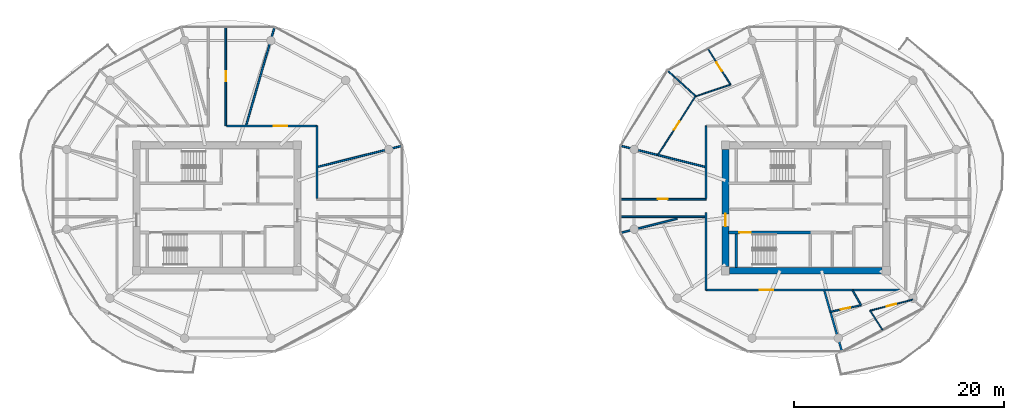
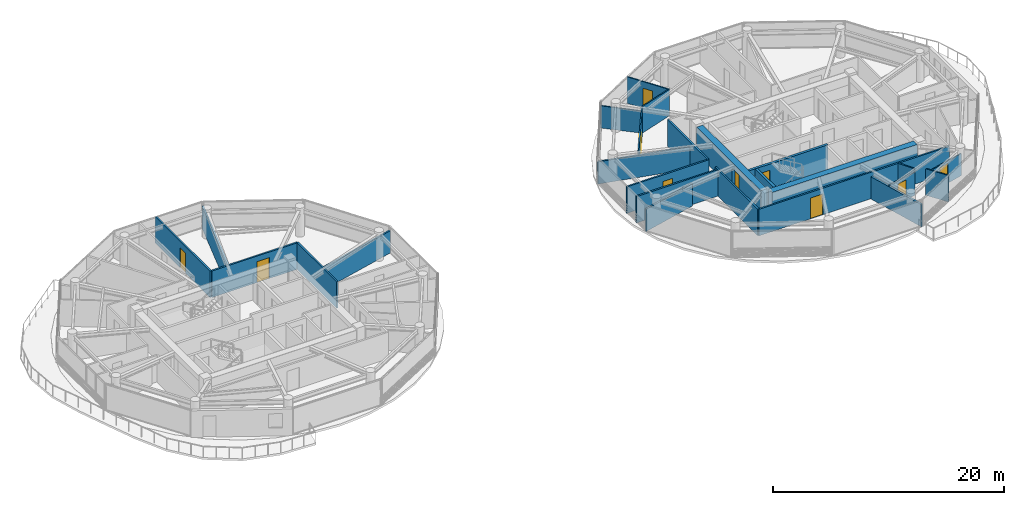
# One storey, part 15 of 23: 25 walls, 10 doors, 10 openings.
"""IFC4 building model written with IfcOpenShell, lengths in metres."""

from ifc_helpers import new_model, si_unit, direction, frame, frame_2d, origin, place, context, subcontext, project, spatial, rectangle, extrude, source, transform, mapped, material, layer, layer_set, type_object, type_shapes, element, fill, save


model = new_model("IFC4")

# Units and contexts
model_context = context("Model", 3, precision=1e-05, world=origin(), true_north=direction((0.0, 1.0)))
body_context = subcontext(model_context, "Body", "Model", "MODEL_VIEW")
ifc_project = project(units=[si_unit("LENGTHUNIT", "METRE"), si_unit("AREAUNIT", "SQUARE_METRE"), si_unit("VOLUMEUNIT", "CUBIC_METRE"), si_unit("PLANEANGLEUNIT", "RADIAN"), si_unit("MASSUNIT", "GRAM", prefix="KILO")], contexts=[model_context])

# Site, building, storey
site_placement = place(None, origin())
site = spatial("IfcSite", under=ifc_project, at=site_placement, CompositionType="ELEMENT")
building_placement = place(site_placement, origin())
building = spatial("IfcBuilding", under=site, at=building_placement, Name="Norrkilde Senior Care Towers", CompositionType="ELEMENT")
storey_placement = place(building_placement, frame((0.0, 0.0, 158.699951171875)))
storey = spatial("IfcBuildingStorey", under=building, at=storey_placement, Name="L49", CompositionType="ELEMENT", Elevation=158.699951171875)

# Wall
ifc_material_1 = material(Name="Concrete C50/60", Category="concrete")
ifc_layer_1 = layer(ifc_material_1, 0.6201171875)
ifc_layer_set_1 = layer_set([ifc_layer_1], Name="Concrete C50/60")
wall_type_1 = type_object("IfcWallType", Name="Core Shear Wall Z3 620", PredefinedType="SHEAR", material=ifc_layer_set_1)
shared_shape_1 = source(origin(), body_context, "Body", "SweptSolid", [
    extrude(rectangle(XDim=14.5, YDim=0.6201171875, at=frame_2d((7.25, 0.0))), origin(), (0.0, 0.0, 1.0), 2.81005859375),
])
wall_1_placement = place(storey_placement, frame((35.25, -5.949951171875, 0.0), z_axis=(0.0, 0.0, 1.0), x_axis=(-1.0, 0.0, 0.0)))
element("IfcWall", 1, at=wall_1_placement, inside=storey, type_object=wall_type_1, Name="L49 Core E South Shear Wall", PredefinedType="SHEAR", context=body_context, shape_type="MappedRepresentation", body=[
    mapped(shared_shape_1, transform((0.0, 0.0, 0.0), x_axis=(1.0, 0.0, 0.0), y_axis=(0.0, 1.0, 0.0), z_axis=(0.0, 0.0, 1.0), scale=1.0)),
])

# Wall, opening, door
shared_shape_2 = source(origin(), body_context, "Body", "SweptSolid", [
    extrude(rectangle(XDim=11.10009765625, YDim=0.6201171875, at=frame_2d((5.550048828125, 0.0))), origin(), (0.0, 0.0, 1.0), 2.81005859375),
])
type_shapes(wall_type_1, [shared_shape_1, shared_shape_2])
wall_2_placement = place(storey_placement, frame((20.35009765625, -5.550048828125, 0.0), z_axis=(0.0, 0.0, 1.0), x_axis=(0.0, 1.0, 0.0)))
wall_2 = element("IfcWall", 2, at=wall_2_placement, inside=storey, type_object=wall_type_1, Name="L49 Core E West Shear Wall", PredefinedType="SHEAR", context=body_context, shape_type="MappedRepresentation", body=[
    mapped(shared_shape_2, transform((0.0, 0.0, 0.0), x_axis=(1.0, 0.0, 0.0), y_axis=(0.0, 1.0, 0.0), z_axis=(0.0, 0.0, 1.0), scale=1.0)),
])
opening_1_placement = place(wall_2_placement, frame((3.800048828125, 0.0, 0.0)))
opening_1 = element("IfcOpeningElement", 3, at=opening_1_placement, cuts=wall_2, Name="Opening D-04", PredefinedType="OPENING", context=body_context, shape_type="SweptSolid", body=[
    extrude(rectangle(XDim=1.199951171875, YDim=2.14990234375, at=frame_2d((0.60009765625, 1.074951171875))), frame((0.0, 0.320068359375, 0.0), z_axis=(0.0, -1.0, 0.0), x_axis=(1.0, 0.0, 0.0)), (0.0, 0.0, 1.0), 0.64013671875),
])
ifc_material_2 = material(Name="Galvanised Painted Steel", Category="steel")
door_type_1 = type_object("IfcDoorType", Name="Firefighting Lobby Fire Door 1200x2150", OperationType="NOTDEFINED", PredefinedType="DOOR", material=ifc_material_2)
shared_shape_3 = source(origin(), body_context, "Body", "SweptSolid", [
    extrude(rectangle(XDim=1.199951171875, YDim=2.14990234375, at=frame_2d((0.60009765625, 1.074951171875))), frame((0.0, 0.02490234375, 0.0), z_axis=(0.0, -1.0, 0.0), x_axis=(1.0, 0.0, 0.0)), (0.0, 0.0, 1.0), 0.050048828125),
])
type_shapes(door_type_1, [shared_shape_3])
door_1_placement = place(opening_1_placement, frame((1.199951171875, 0.0, 0.0), z_axis=(0.0, 0.0, 1.0), x_axis=(-1.0, 0.0, 0.0)))
door_1 = element("IfcDoor", 4, at=door_1_placement, inside=storey, type_object=door_type_1, Name="L49 Core E West Portal Door", OperationType="SINGLE_SWING_LEFT", OverallHeight=2.14990234375, OverallWidth=1.199951171875, PredefinedType="DOOR", context=body_context, shape_type="MappedRepresentation", body=[
    mapped(shared_shape_3, transform((0.0, 0.0, 0.0), x_axis=(1.0, 0.0, 0.0), y_axis=(0.0, 1.0, 0.0), z_axis=(0.0, 0.0, 1.0), scale=1.0)),
])
fill(opening_1, door_1)

ifc_material_3 = material(Name="Concrete C45/55", Category="concrete")
ifc_layer_2 = layer(ifc_material_3, 0.239990234375)
ifc_layer_set_2 = layer_set([ifc_layer_2], Name="Concrete C45/55")
wall_type_2 = type_object("IfcWallType", Name="Shaft and Stair Enclosure Wall 240", PredefinedType="PARTITIONING", material=ifc_layer_set_2)
shared_shape_4 = source(origin(), body_context, "Body", "SweptSolid", [
    extrude(rectangle(XDim=7.880126953125, YDim=0.239990234375, at=frame_2d((3.93994140625, 0.0))), origin(), (0.0, 0.0, 1.0), 2.81005859375),
])
wall_3_placement = place(storey_placement, frame((20.659912109375, -2.330078125, 0.0), z_axis=(0.0, 0.0, 1.0), x_axis=(1.0, 0.0, 0.0)))
wall_3 = element("IfcWall", 5, at=wall_3_placement, inside=storey, type_object=wall_type_2, Name="WL-INT-L49-E-ST2N", PredefinedType="PARTITIONING", context=body_context, shape_type="MappedRepresentation", body=[
    mapped(shared_shape_4, transform((0.0, 0.0, 0.0), x_axis=(1.0, 0.0, 0.0), y_axis=(0.0, 1.0, 0.0), z_axis=(0.0, 0.0, 1.0), scale=1.0)),
])
opening_2_placement = place(wall_3_placement, frame((1.0, 0.0, 0.0)))
opening_2 = element("IfcOpeningElement", 6, at=opening_2_placement, cuts=wall_3, Name="Opening D-03", PredefinedType="OPENING", context=body_context, shape_type="SweptSolid", body=[
    extrude(rectangle(XDim=1.10009765625, YDim=2.14990234375, at=frame_2d((0.550048828125, 1.074951171875))), frame((0.0, 0.1298828125, 0.0), z_axis=(0.0, -1.0, 0.0), x_axis=(1.0, 0.0, 0.0)), (0.0, 0.0, 1.0), 0.260009765625),
])
door_type_2 = type_object("IfcDoorType", Name="Stairwell Protected Fire Door 1100x2150", OperationType="NOTDEFINED", PredefinedType="DOOR", material=ifc_material_2)
shared_shape_5 = source(origin(), body_context, "Body", "SweptSolid", [
    extrude(rectangle(XDim=1.10009765625, YDim=2.14990234375, at=frame_2d((0.550048828125, 1.074951171875))), frame((0.0, 0.02490234375, 0.0), z_axis=(0.0, -1.0, 0.0), x_axis=(1.0, 0.0, 0.0)), (0.0, 0.0, 1.0), 0.050048828125),
])
type_shapes(door_type_2, [shared_shape_5])
door_2_placement = place(opening_2_placement, frame((1.10009765625, 0.0, 0.0), z_axis=(0.0, 0.0, 1.0), x_axis=(-1.0, 0.0, 0.0)))
door_2 = element("IfcDoor", 7, at=door_2_placement, inside=storey, type_object=door_type_2, Name="L49 Stair E2 Fire Door", OperationType="SINGLE_SWING_RIGHT", OverallHeight=2.14990234375, OverallWidth=1.10009765625, PredefinedType="DOOR", context=body_context, shape_type="MappedRepresentation", body=[
    mapped(shared_shape_5, transform((0.0, 0.0, 0.0), x_axis=(1.0, 0.0, 0.0), y_axis=(0.0, 1.0, 0.0), z_axis=(0.0, 0.0, 1.0), scale=1.0)),
])
fill(opening_2, door_2)

# Walls
shared_shape_6 = source(origin(), body_context, "Body", "SweptSolid", [
    extrude(rectangle(XDim=3.18994140625, YDim=0.239990234375, at=frame_2d((1.594970703125, 0.0))), origin(), (0.0, 0.0, 1.0), 2.81005859375),
])
type_shapes(wall_type_2, [shared_shape_4, shared_shape_6])
wall_4_placement = place(storey_placement, frame((21.3798828125, -5.639892578125, 0.0), z_axis=(0.0, 0.0, 1.0), x_axis=(0.0, 1.0, 0.0)))
element("IfcWall", 8, at=wall_4_placement, inside=storey, type_object=wall_type_2, Name="WL-INT-L49-E-ST2W", PredefinedType="PARTITIONING", context=body_context, shape_type="MappedRepresentation", body=[
    mapped(shared_shape_6, transform((0.0, 0.0, 0.0), x_axis=(1.0, 0.0, 0.0), y_axis=(0.0, 1.0, 0.0), z_axis=(0.0, 0.0, 1.0), scale=1.0)),
])
ifc_material_4 = material(Name="Gypsum Acoustic Board")
ifc_layer_3 = layer(ifc_material_4, 0.1650390625)
ifc_layer_set_3 = layer_set([ifc_layer_3], Name="Gypsum Acoustic Board")
wall_type_3 = type_object("IfcWallType", Name="Corridor Rated Partition 165", PredefinedType="PARTITIONING", material=ifc_layer_set_3)
shared_shape_7 = source(origin(), body_context, "Body", "SweptSolid", [
    extrude(rectangle(XDim=9.73046875, YDim=0.1650390625, at=frame_2d((4.865234375, 0.0))), origin(), (0.0, 0.0, 1.0), 2.344970703125),
])
wall_5_placement = place(storey_placement, frame((-25.216552734375, 7.8798828125, 0.0), z_axis=(0.0, 0.0, 1.0), x_axis=(0.27679492614, 0.960929013436, 0.0)))
element("IfcWall", 9, at=wall_5_placement, inside=storey, type_object=wall_type_3, Name="WL-INT-L49-W-DEM-02-0", PredefinedType="PARTITIONING", context=body_context, shape_type="MappedRepresentation", body=[
    mapped(shared_shape_7, transform((0.0, 0.0, 0.0), x_axis=(1.0, 0.0, 0.0), y_axis=(0.0, 1.0, 0.0), z_axis=(0.0, 0.0, 1.0), scale=1.0)),
])

# Wall, opening, door
shared_shape_8 = source(origin(), body_context, "Body", "SweptSolid", [
    extrude(rectangle(XDim=8.580078125, YDim=0.1650390625, at=frame_2d((4.2900390625, 0.0))), origin(), (0.0, 0.0, 1.0), 2.795166015625),
])
wall_6_placement = place(storey_placement, frame((-27.080078125, 7.800048828125, 0.0), z_axis=(0.0, 0.0, 1.0), x_axis=(1.0, 0.0, 0.0)))
wall_6 = element("IfcWall", 10, at=wall_6_placement, inside=storey, type_object=wall_type_3, Name="WL-INT-L49-W-CRW-N-1", PredefinedType="PARTITIONING", context=body_context, shape_type="MappedRepresentation", body=[
    mapped(shared_shape_8, transform((0.0, 0.0, 0.0), x_axis=(1.0, 0.0, 0.0), y_axis=(0.0, 1.0, 0.0), z_axis=(0.0, 0.0, 1.0), scale=1.0)),
])
opening_3_placement = place(wall_6_placement, frame((4.4873046875, 0.0, 0.0)))
opening_3 = element("IfcOpeningElement", 11, at=opening_3_placement, cuts=wall_6, Name="Opening D-05", PredefinedType="OPENING", context=body_context, shape_type="SweptSolid", body=[
    extrude(rectangle(XDim=1.25, YDim=2.199951171875, at=frame_2d((0.625, 1.10009765625))), frame((0.0, 0.092529296875, 0.0), z_axis=(0.0, -1.0, 0.0), x_axis=(1.0, 0.0, 0.0)), (0.0, 0.0, 1.0), 0.18505859375),
])
ifc_material_5 = material(Name="Nordic Ash Timber", Category="wood")
door_type_3 = type_object("IfcDoorType", Name="Care Bedroom Bariatric Door 1250x2200", OperationType="NOTDEFINED", PredefinedType="DOOR", material=ifc_material_5)
shared_shape_9 = source(origin(), body_context, "Body", "SweptSolid", [
    extrude(rectangle(XDim=1.25, YDim=2.199951171875, at=frame_2d((0.625, 1.10009765625))), frame((0.0, 0.02490234375, 0.0), z_axis=(0.0, -1.0, 0.0), x_axis=(1.0, 0.0, 0.0)), (0.0, 0.0, 1.0), 0.050048828125),
])
type_shapes(door_type_3, [shared_shape_9])
door_3_placement = place(opening_3_placement, frame((1.25, 0.0, 0.0), z_axis=(0.0, 0.0, 1.0), x_axis=(-1.0, 0.0, 0.0)))
door_3 = element("IfcDoor", 12, at=door_3_placement, inside=storey, type_object=door_type_3, Name="L49 Resident Therapeutic Day Lounge Door", OperationType="SINGLE_SWING_LEFT", OverallHeight=2.199951171875, OverallWidth=1.25, PredefinedType="DOOR", context=body_context, shape_type="MappedRepresentation", body=[
    mapped(shared_shape_9, transform((0.0, 0.0, 0.0), x_axis=(1.0, 0.0, 0.0), y_axis=(0.0, 1.0, 0.0), z_axis=(0.0, 0.0, 1.0), scale=1.0)),
])
fill(opening_3, door_3)

shared_shape_10 = source(origin(), body_context, "Body", "SweptSolid", [
    extrude(rectangle(XDim=19.0, YDim=0.1650390625, at=frame_2d((9.5, 0.0))), origin(), (0.0, 0.0, 1.0), 2.795166015625),
])
wall_7_placement = place(storey_placement, frame((37.5, -7.800048828125, 0.0), z_axis=(0.0, 0.0, 1.0), x_axis=(-1.0, 0.0, 0.0)))
wall_7 = element("IfcWall", 13, at=wall_7_placement, inside=storey, type_object=wall_type_3, Name="WL-INT-L49-E-CRW-S-0", PredefinedType="PARTITIONING", context=body_context, shape_type="MappedRepresentation", body=[
    mapped(shared_shape_10, transform((0.0, 0.0, 0.0), x_axis=(1.0, 0.0, 0.0), y_axis=(0.0, 1.0, 0.0), z_axis=(0.0, 0.0, 1.0), scale=1.0)),
])
opening_4_placement = place(wall_7_placement, frame((12.623291015625, 0.0, 0.0)))
opening_4 = element("IfcOpeningElement", 14, at=opening_4_placement, cuts=wall_7, Name="Opening D-05", PredefinedType="OPENING", context=body_context, shape_type="SweptSolid", body=[
    extrude(rectangle(XDim=1.25, YDim=2.199951171875, at=frame_2d((0.625, 1.10009765625))), frame((0.0, 0.092529296875, 0.0), z_axis=(0.0, -1.0, 0.0), x_axis=(1.0, 0.0, 0.0)), (0.0, 0.0, 1.0), 0.18505859375),
])
door_4_placement = place(opening_4_placement, frame((1.25, 0.0, 0.0), z_axis=(0.0, 0.0, 1.0), x_axis=(-1.0, 0.0, 0.0)))
door_4 = element("IfcDoor", 15, at=door_4_placement, inside=storey, type_object=door_type_3, Name="L49 Senior Wellness Library Lounge Door", OperationType="SINGLE_SWING_LEFT", OverallHeight=2.199951171875, OverallWidth=1.25, PredefinedType="DOOR", context=body_context, shape_type="MappedRepresentation", body=[
    mapped(shared_shape_9, transform((0.0, 0.0, 0.0), x_axis=(1.0, 0.0, 0.0), y_axis=(0.0, 1.0, 0.0), z_axis=(0.0, 0.0, 1.0), scale=1.0)),
])
fill(opening_4, door_4)

# Walls
shared_shape_11 = source(origin(), body_context, "Body", "SweptSolid", [
    extrude(rectangle(XDim=6.880126953125, YDim=0.1650390625, at=frame_2d((3.43994140625, 0.0))), origin(), (0.0, 0.0, 1.0), 2.795166015625),
])
for number, where, z_axis, x_axis, name in (
    (16, (-18.5, 7.800048828125, 0.0), (0.0, 0.0, 1.0), (0.0, -1.0, 0.0), "WL-INT-L49-W-CRW-E-0"),
    (17, (18.5, 0.919921875, 0.0), (0.0, 0.0, 1.0), (0.0, 1.0, 0.0), "WL-INT-L49-E-CRW-W-1"),
):
    element("IfcWall", number, at=place(storey_placement, frame(where, z_axis=z_axis, x_axis=x_axis)), inside=storey, type_object=wall_type_3, Name=name, PredefinedType="PARTITIONING", context=body_context, shape_type="MappedRepresentation", body=[
        mapped(shared_shape_11, transform((0.0, 0.0, 0.0), x_axis=(1.0, 0.0, 0.0), y_axis=(0.0, 1.0, 0.0), z_axis=(0.0, 0.0, 1.0), scale=1.0)),
    ])
shared_shape_12 = source(origin(), body_context, "Body", "SweptSolid", [
    extrude(rectangle(XDim=7.364501953125, YDim=0.1650390625, at=frame_2d((3.68212890625, 0.0))), origin(), (0.0, 0.0, 1.0), 2.795166015625),
])
wall_8_placement = place(storey_placement, frame((18.5, -7.800048828125, 0.0), z_axis=(0.0, 0.0, 1.0), x_axis=(0.0, 1.0, 0.0)))
element("IfcWall", 18, at=wall_8_placement, inside=storey, type_object=wall_type_3, Name="WL-INT-L49-E-CRW-W-0", PredefinedType="PARTITIONING", context=body_context, shape_type="MappedRepresentation", body=[
    mapped(shared_shape_12, transform((0.0, 0.0, 0.0), x_axis=(1.0, 0.0, 0.0), y_axis=(0.0, 1.0, 0.0), z_axis=(0.0, 0.0, 1.0), scale=1.0)),
])
shared_shape_13 = source(origin(), body_context, "Body", "SweptSolid", [
    extrude(rectangle(XDim=5.564453125, YDim=0.1650390625, at=frame_2d((2.7822265625, 0.0))), origin(), (0.0, 0.0, 1.0), 2.344970703125),
])
wall_9_placement = place(storey_placement, frame((15.76025390625, -1.02001953125, 0.0), z_axis=(0.0, 0.0, 1.0), x_axis=(-0.970315176167, -0.241843872984, 0.0)))
element("IfcWall", 19, at=wall_9_placement, inside=storey, type_object=wall_type_3, Name="WL-INT-L49-E-DEM-06-0", PredefinedType="PARTITIONING", context=body_context, shape_type="MappedRepresentation", body=[
    mapped(shared_shape_13, transform((0.0, 0.0, 0.0), x_axis=(1.0, 0.0, 0.0), y_axis=(0.0, 1.0, 0.0), z_axis=(0.0, 0.0, 1.0), scale=1.0)),
])
shared_shape_14 = source(origin(), body_context, "Body", "SweptSolid", [
    extrude(rectangle(XDim=8.305419921875, YDim=0.1650390625, at=frame_2d((4.15283203125, 0.0))), origin(), (0.0, 0.0, 1.0), 2.344970703125),
])
for number, where, z_axis, x_axis, name in (
    (20, (-18.419921875, 3.90771484375, 0.0), (0.0, 0.0, 1.0), (0.970309994378, 0.241864662175, 0.0), "WL-INT-L49-W-DEM-00-0"),
    (21, (18.419921875, 3.90771484375, 0.0), (0.0, 0.0, 1.0), (-0.970309994378, 0.241864662175, 0.0), "WL-INT-L49-E-DEM-05-0"),
):
    element("IfcWall", number, at=place(storey_placement, frame(where, z_axis=z_axis, x_axis=x_axis)), inside=storey, type_object=wall_type_3, Name=name, PredefinedType="PARTITIONING", context=body_context, shape_type="MappedRepresentation", body=[
        mapped(shared_shape_14, transform((0.0, 0.0, 0.0), x_axis=(1.0, 0.0, 0.0), y_axis=(0.0, 1.0, 0.0), z_axis=(0.0, 0.0, 1.0), scale=1.0)),
    ])

# Wall, opening, door
shared_shape_15 = source(origin(), body_context, "Body", "SweptSolid", [
    extrude(rectangle(XDim=9.480224609375, YDim=0.1650390625, at=frame_2d((4.740234375, 0.0))), origin(), (0.0, 0.0, 1.0), 2.795166015625),
])
wall_10_placement = place(storey_placement, frame((-27.159912109375, 17.2802734375, 0.0), z_axis=(0.0, 0.0, 1.0), x_axis=(0.0, -1.0, 0.0)))
wall_10 = element("IfcWall", 22, at=wall_10_placement, inside=storey, type_object=wall_type_3, Name="WL-INT-L49-W-SPK-N2-0", PredefinedType="PARTITIONING", context=body_context, shape_type="MappedRepresentation", body=[
    mapped(shared_shape_15, transform((0.0, 0.0, 0.0), x_axis=(1.0, 0.0, 0.0), y_axis=(0.0, 1.0, 0.0), z_axis=(0.0, 0.0, 1.0), scale=1.0)),
])
opening_5_placement = place(wall_10_placement, frame((4.26513671875, 0.0, 0.0)))
opening_5 = element("IfcOpeningElement", 23, at=opening_5_placement, cuts=wall_10, Name="Opening D-07", PredefinedType="OPENING", context=body_context, shape_type="SweptSolid", body=[
    extrude(rectangle(XDim=0.949951171875, YDim=2.10009765625, at=frame_2d((0.47509765625, 1.050048828125))), frame((0.0, 0.092529296875, 0.0), z_axis=(0.0, -1.0, 0.0), x_axis=(1.0, 0.0, 0.0)), (0.0, 0.0, 1.0), 0.18505859375),
])
door_type_4 = type_object("IfcDoorType", Name="Internal Suite Bedroom Door 950x2100", OperationType="NOTDEFINED", PredefinedType="DOOR", material=ifc_material_5)
shared_shape_16 = source(origin(), body_context, "Body", "SweptSolid", [
    extrude(rectangle(XDim=0.949951171875, YDim=2.10009765625, at=frame_2d((0.47509765625, 1.050048828125))), frame((0.0, 0.02490234375, 0.0), z_axis=(0.0, -1.0, 0.0), x_axis=(1.0, 0.0, 0.0)), (0.0, 0.0, 1.0), 0.050048828125),
])
type_shapes(door_type_4, [shared_shape_16])
door_5_placement = place(opening_5_placement, frame((0.949951171875, 0.0, 0.0), z_axis=(0.0, 0.0, 1.0), x_axis=(-1.0, 0.0, 0.0)))
door_5 = element("IfcDoor", 24, at=door_5_placement, inside=storey, type_object=door_type_4, Name="L49 Sun Reading Lounge 4 Door", OperationType="SINGLE_SWING_LEFT", OverallHeight=2.10009765625, OverallWidth=0.949951171875, PredefinedType="DOOR", context=body_context, shape_type="MappedRepresentation", body=[
    mapped(shared_shape_16, transform((0.0, 0.0, 0.0), x_axis=(1.0, 0.0, 0.0), y_axis=(0.0, 1.0, 0.0), z_axis=(0.0, 0.0, 1.0), scale=1.0)),
])
fill(opening_5, door_5)

shared_shape_17 = source(origin(), body_context, "Body", "SweptSolid", [
    extrude(rectangle(XDim=8.18896484375, YDim=0.1650390625, at=frame_2d((4.094482421875, 0.0))), origin(), (0.0, 0.0, 1.0), 2.795166015625),
])
type_shapes(wall_type_3, [shared_shape_7, shared_shape_8, shared_shape_10, shared_shape_11, shared_shape_12, shared_shape_13, shared_shape_14, shared_shape_15, shared_shape_17])
wall_11_placement = place(storey_placement, frame((10.31103515625, 0.840087890625, 0.0), z_axis=(0.0, 0.0, 1.0), x_axis=(1.0, 0.0, 0.0)))
wall_11 = element("IfcWall", 25, at=wall_11_placement, inside=storey, type_object=wall_type_3, Name="WL-INT-L49-E-SPK-W1-0", PredefinedType="PARTITIONING", context=body_context, shape_type="MappedRepresentation", body=[
    mapped(shared_shape_17, transform((0.0, 0.0, 0.0), x_axis=(1.0, 0.0, 0.0), y_axis=(0.0, 1.0, 0.0), z_axis=(0.0, 0.0, 1.0), scale=1.0)),
])
opening_6_placement = place(wall_11_placement, frame((3.619384765625, 0.0, 0.0)))
opening_6 = element("IfcOpeningElement", 26, at=opening_6_placement, cuts=wall_11, Name="Opening D-07", PredefinedType="OPENING", context=body_context, shape_type="SweptSolid", body=[
    extrude(rectangle(XDim=0.949951171875, YDim=2.10009765625, at=frame_2d((0.47509765625, 1.050048828125))), frame((0.0, 0.092529296875, 0.0), z_axis=(0.0, -1.0, 0.0), x_axis=(1.0, 0.0, 0.0)), (0.0, 0.0, 1.0), 0.18505859375),
])
door_6_placement = place(opening_6_placement, frame((0.949951171875, 0.0, 0.0), z_axis=(0.0, 0.0, 1.0), x_axis=(-1.0, 0.0, 0.0)))
door_6 = element("IfcDoor", 27, at=door_6_placement, inside=storey, type_object=door_type_4, Name="L49 Sun Reading Lounge 2 Door", OperationType="SINGLE_SWING_LEFT", OverallHeight=2.10009765625, OverallWidth=0.949951171875, PredefinedType="DOOR", context=body_context, shape_type="MappedRepresentation", body=[
    mapped(shared_shape_16, transform((0.0, 0.0, 0.0), x_axis=(1.0, 0.0, 0.0), y_axis=(0.0, 1.0, 0.0), z_axis=(0.0, 0.0, 1.0), scale=1.0)),
])
fill(opening_6, door_6)

# Wall
wall_12_placement = place(storey_placement, frame((18.5, -0.840087890625, 0.0), z_axis=(0.0, 0.0, 1.0), x_axis=(-1.0, 0.0, 0.0)))
element("IfcWall", 28, at=wall_12_placement, inside=storey, type_object=wall_type_3, Name="WL-INT-L49-E-SPK-W2-0", PredefinedType="PARTITIONING", context=body_context, shape_type="MappedRepresentation", body=[
    mapped(shared_shape_17, transform((0.0, 0.0, 0.0), x_axis=(1.0, 0.0, 0.0), y_axis=(0.0, 1.0, 0.0), z_axis=(0.0, 0.0, 1.0), scale=1.0)),
])

# Wall, opening, door
ifc_layer_4 = layer(ifc_material_4, 0.114990234375)
ifc_layer_set_4 = layer_set([ifc_layer_4], Name="Gypsum Acoustic Board")
wall_type_4 = type_object("IfcWallType", Name="Internal Room Partition 115", PredefinedType="PARTITIONING", material=ifc_layer_set_4)
shared_shape_18 = source(origin(), body_context, "Body", "SweptSolid", [
    extrude(rectangle(XDim=6.654052734375, YDim=0.114990234375, at=frame_2d((3.3271484375, 0.0))), origin(), (0.0, 0.0, 1.0), 2.795166015625),
])
wall_13_placement = place(storey_placement, frame((17.5087890625, 10.632080078125, 0.0), z_axis=(0.0, 0.0, 1.0), x_axis=(-0.53923796816, -0.842153438332, 0.0)))
wall_13 = element("IfcWall", 29, at=wall_13_placement, inside=storey, type_object=wall_type_4, Name="WL-INT-L49-E-UBC-03-1", PredefinedType="PARTITIONING", context=body_context, shape_type="MappedRepresentation", body=[
    mapped(shared_shape_18, transform((0.0, 0.0, 0.0), x_axis=(1.0, 0.0, 0.0), y_axis=(0.0, 1.0, 0.0), z_axis=(0.0, 0.0, 1.0), scale=1.0)),
])
opening_7_placement = place(wall_13_placement, frame((2.85205078125, 0.0, 0.0)))
opening_7 = element("IfcOpeningElement", 30, at=opening_7_placement, cuts=wall_13, Name="Opening D-07", PredefinedType="OPENING", context=body_context, shape_type="SweptSolid", body=[
    extrude(rectangle(XDim=0.949951171875, YDim=2.10009765625, at=frame_2d((0.47509765625, 1.050048828125))), frame((0.0, 0.0673828125, 0.0), z_axis=(0.0, -1.0, 0.0), x_axis=(1.0, 0.0, 0.0)), (0.0, 0.0, 1.0), 0.135009765625),
])
door_7_placement = place(opening_7_placement, origin())
door_7 = element("IfcDoor", 31, at=door_7_placement, inside=storey, type_object=door_type_4, Name="Apartment 49B Bedroom 1 Door", OperationType="SINGLE_SWING_LEFT", OverallHeight=2.10009765625, OverallWidth=0.949951171875, PredefinedType="DOOR", context=body_context, shape_type="MappedRepresentation", body=[
    mapped(shared_shape_16, transform((0.0, 0.0, 0.0), x_axis=(1.0, 0.0, 0.0), y_axis=(0.0, 1.0, 0.0), z_axis=(0.0, 0.0, 1.0), scale=1.0)),
])
fill(opening_7, door_7)

# Wall
shared_shape_19 = source(origin(), body_context, "Body", "SweptSolid", [
    extrude(rectangle(XDim=3.647705078125, YDim=0.114990234375, at=frame_2d((1.82373046875, 0.0))), origin(), (0.0, 0.0, 1.0), 2.344970703125),
])
wall_14_placement = place(storey_placement, frame((17.5087890625, 10.632080078125, 0.0), z_axis=(0.0, 0.0, 1.0), x_axis=(-0.739109697605, 0.67358507622, 0.0)))
element("IfcWall", 32, at=wall_14_placement, inside=storey, type_object=wall_type_4, Name="WL-INT-L49-E-UBR-03-1", PredefinedType="PARTITIONING", context=body_context, shape_type="MappedRepresentation", body=[
    mapped(shared_shape_19, transform((0.0, 0.0, 0.0), x_axis=(1.0, 0.0, 0.0), y_axis=(0.0, 1.0, 0.0), z_axis=(0.0, 0.0, 1.0), scale=1.0)),
])

# Wall, opening, door
shared_shape_20 = source(origin(), body_context, "Body", "SweptSolid", [
    extrude(rectangle(XDim=4.065673828125, YDim=0.114990234375, at=frame_2d((2.03271484375, 0.0))), origin(), (0.0, 0.0, 1.0), 2.795166015625),
])
wall_15_placement = place(storey_placement, frame((20.837646484375, 11.721435546875, 0.0), z_axis=(0.0, 0.0, 1.0), x_axis=(-0.533669868169, 0.8456928945, 0.0)))
wall_15 = element("IfcWall", 33, at=wall_15_placement, inside=storey, type_object=wall_type_4, Name="WL-INT-L49-E-UKTS-03", PredefinedType="PARTITIONING", context=body_context, shape_type="MappedRepresentation", body=[
    mapped(shared_shape_20, transform((0.0, 0.0, 0.0), x_axis=(1.0, 0.0, 0.0), y_axis=(0.0, 1.0, 0.0), z_axis=(0.0, 0.0, 1.0), scale=1.0)),
])
opening_8_placement = place(wall_15_placement, frame((1.557861328125, 0.0, 0.0)))
opening_8 = element("IfcOpeningElement", 34, at=opening_8_placement, cuts=wall_15, Name="Opening D-07", PredefinedType="OPENING", context=body_context, shape_type="SweptSolid", body=[
    extrude(rectangle(XDim=0.949951171875, YDim=2.10009765625, at=frame_2d((0.47509765625, 1.050048828125))), frame((0.0, 0.0673828125, 0.0), z_axis=(0.0, -1.0, 0.0), x_axis=(1.0, 0.0, 0.0)), (0.0, 0.0, 1.0), 0.135009765625),
])
door_8_placement = place(opening_8_placement, frame((0.949951171875, 0.0, 0.0), z_axis=(0.0, 0.0, 1.0), x_axis=(-1.0, 0.0, 0.0)))
door_8 = element("IfcDoor", 35, at=door_8_placement, inside=storey, type_object=door_type_4, Name="Apartment 49B Kitchen Door", OperationType="SINGLE_SWING_RIGHT", OverallHeight=2.10009765625, OverallWidth=0.949951171875, PredefinedType="DOOR", context=body_context, shape_type="MappedRepresentation", body=[
    mapped(shared_shape_16, transform((0.0, 0.0, 0.0), x_axis=(1.0, 0.0, 0.0), y_axis=(0.0, 1.0, 0.0), z_axis=(0.0, 0.0, 1.0), scale=1.0)),
])
fill(opening_8, door_8)

# Walls
shared_shape_21 = source(origin(), body_context, "Body", "SweptSolid", [
    extrude(rectangle(XDim=3.496337890625, YDim=0.114990234375, at=frame_2d((1.748046875, 0.0))), origin(), (0.0, 0.0, 1.0), 2.795166015625),
])
wall_16_placement = place(storey_placement, frame((20.837646484375, 11.721435546875, 0.0), z_axis=(0.0, 0.0, 1.0), x_axis=(-0.949420852529, -0.314006440672, 0.0)))
element("IfcWall", 36, at=wall_16_placement, inside=storey, type_object=wall_type_4, Name="WL-INT-L49-E-UKTF-03", PredefinedType="PARTITIONING", context=body_context, shape_type="MappedRepresentation", body=[
    mapped(shared_shape_21, transform((0.0, 0.0, 0.0), x_axis=(1.0, 0.0, 0.0), y_axis=(0.0, 1.0, 0.0), z_axis=(0.0, 0.0, 1.0), scale=1.0)),
])
ifc_layer_5 = layer(ifc_material_4, 0.18994140625)
ifc_layer_set_5 = layer_set([ifc_layer_5], Name="Gypsum Acoustic Board")
wall_type_5 = type_object("IfcWallType", Name="Unit Demising Acoustic Wall 190", PredefinedType="PARTITIONING", material=ifc_layer_set_5)
shared_shape_22 = source(origin(), body_context, "Body", "SweptSolid", [
    extrude(rectangle(XDim=6.035400390625, YDim=0.18994140625, at=frame_2d((3.017578125, 0.0))), origin(), (0.0, 0.0, 1.0), 2.344970703125),
])
type_shapes(wall_type_5, [shared_shape_22])
wall_17_placement = place(storey_placement, frame((29.756103515625, -7.8798828125, 0.0), z_axis=(0.0, 0.0, 1.0), x_axis=(0.276809454862, -0.960924828329, 0.0)))
element("IfcWall", 37, at=wall_17_placement, inside=storey, type_object=wall_type_5, Name="WL-INT-L49-E-DEM-09-0", PredefinedType="PARTITIONING", context=body_context, shape_type="MappedRepresentation", body=[
    mapped(shared_shape_22, transform((0.0, 0.0, 0.0), x_axis=(1.0, 0.0, 0.0), y_axis=(0.0, 1.0, 0.0), z_axis=(0.0, 0.0, 1.0), scale=1.0)),
])
ifc_layer_6 = layer(ifc_material_4, 0.139892578125)
ifc_layer_set_6 = layer_set([ifc_layer_6], Name="Gypsum Acoustic Board")
wall_type_6 = type_object("IfcWallType", Name="En-suite Wet Room Wall 140", PredefinedType="PARTITIONING", material=ifc_layer_set_6)
shared_shape_23 = source(origin(), body_context, "Body", "SweptSolid", [
    extrude(rectangle(XDim=1.634521484375, YDim=0.139892578125, at=frame_2d((0.8173828125, 0.0))), origin(), (0.0, 0.0, 1.0), 2.795166015625),
])
wall_18_placement = place(storey_placement, frame((32.43359375, -7.830078125, 0.0), z_axis=(0.0, 0.0, 1.0), x_axis=(0.494078690764, -0.869417188312, 0.0)))
element("IfcWall", 38, at=wall_18_placement, inside=storey, type_object=wall_type_6, Name="WL-INT-L49-E-UBTS-09", PredefinedType="PARTITIONING", context=body_context, shape_type="MappedRepresentation", body=[
    mapped(shared_shape_23, transform((0.0, 0.0, 0.0), x_axis=(1.0, 0.0, 0.0), y_axis=(0.0, 1.0, 0.0), z_axis=(0.0, 0.0, 1.0), scale=1.0)),
])

# Wall, opening, door
shared_shape_24 = source(origin(), body_context, "Body", "SweptSolid", [
    extrude(rectangle(XDim=2.995361328125, YDim=0.139892578125, at=frame_2d((1.49755859375, 0.0))), origin(), (0.0, 0.0, 1.0), 2.43505859375),
])
type_shapes(wall_type_6, [shared_shape_23, shared_shape_24])
wall_19_placement = place(storey_placement, frame((33.2412109375, -9.251220703125, 0.0), z_axis=(0.0, 0.0, 1.0), x_axis=(-0.978075914325, -0.208248663425, 0.0)))
wall_19 = element("IfcWall", 39, at=wall_19_placement, inside=storey, type_object=wall_type_6, Name="WL-INT-L49-E-UBTF-09", PredefinedType="PARTITIONING", context=body_context, shape_type="MappedRepresentation", body=[
    mapped(shared_shape_24, transform((0.0, 0.0, 0.0), x_axis=(1.0, 0.0, 0.0), y_axis=(0.0, 1.0, 0.0), z_axis=(0.0, 0.0, 1.0), scale=1.0)),
])
opening_9_placement = place(wall_19_placement, frame((1.03759765625, 0.0, 0.0)))
opening_9 = element("IfcOpeningElement", 40, at=opening_9_placement, cuts=wall_19, Name="Opening D-08", PredefinedType="OPENING", context=body_context, shape_type="SweptSolid", body=[
    extrude(rectangle(XDim=0.919921875, YDim=2.10009765625, at=frame_2d((0.4599609375, 1.050048828125))), frame((0.0, 0.079833984375, 0.0), z_axis=(0.0, -1.0, 0.0), x_axis=(1.0, 0.0, 0.0)), (0.0, 0.0, 1.0), 0.159912109375),
])
door_type_5 = type_object("IfcDoorType", Name="Accessible Wet Room Door 920x2100", OperationType="NOTDEFINED", PredefinedType="DOOR", material=ifc_material_5)
shared_shape_25 = source(origin(), body_context, "Body", "SweptSolid", [
    extrude(rectangle(XDim=0.919921875, YDim=2.10009765625, at=frame_2d((0.4599609375, 1.050048828125))), frame((0.0, 0.02490234375, 0.0), z_axis=(0.0, -1.0, 0.0), x_axis=(1.0, 0.0, 0.0)), (0.0, 0.0, 1.0), 0.050048828125),
])
type_shapes(door_type_5, [shared_shape_25])
door_9_placement = place(opening_9_placement, origin())
door_9 = element("IfcDoor", 41, at=door_9_placement, inside=storey, type_object=door_type_5, Name="Apartment 49D Bathroom Door", OperationType="SINGLE_SWING_LEFT", OverallHeight=2.10009765625, OverallWidth=0.919921875, PredefinedType="DOOR", context=body_context, shape_type="MappedRepresentation", body=[
    mapped(shared_shape_25, transform((0.0, 0.0, 0.0), x_axis=(1.0, 0.0, 0.0), y_axis=(0.0, 1.0, 0.0), z_axis=(0.0, 0.0, 1.0), scale=1.0)),
])
fill(opening_9, door_9)

# Wall
shared_shape_26 = source(origin(), body_context, "Body", "SweptSolid", [
    extrude(rectangle(XDim=2.19384765625, YDim=0.114990234375, at=frame_2d((1.096923828125, 0.0))), origin(), (0.0, 0.0, 1.0), 2.795166015625),
])
wall_20_placement = place(storey_placement, frame((34.095458984375, -9.763671875, 0.0), z_axis=(0.0, 0.0, 1.0), x_axis=(0.540858831194, -0.841113383985, 0.0)))
element("IfcWall", 42, at=wall_20_placement, inside=storey, type_object=wall_type_4, Name="WL-INT-L49-E-UKTS-09", PredefinedType="PARTITIONING", context=body_context, shape_type="MappedRepresentation", body=[
    mapped(shared_shape_26, transform((0.0, 0.0, 0.0), x_axis=(1.0, 0.0, 0.0), y_axis=(0.0, 1.0, 0.0), z_axis=(0.0, 0.0, 1.0), scale=1.0)),
])

# Wall, opening, door
shared_shape_27 = source(origin(), body_context, "Body", "SweptSolid", [
    extrude(rectangle(XDim=4.2177734375, YDim=0.114990234375, at=frame_2d((2.10888671875, 0.0))), origin(), (0.0, 0.0, 1.0), 2.344970703125),
])
type_shapes(wall_type_4, [shared_shape_18, shared_shape_19, shared_shape_20, shared_shape_21, shared_shape_26, shared_shape_27])
wall_21_placement = place(storey_placement, frame((34.095458984375, -9.763671875, 0.0), z_axis=(0.0, 0.0, 1.0), x_axis=(0.968124892577, 0.250467946797, 0.0)))
wall_21 = element("IfcWall", 43, at=wall_21_placement, inside=storey, type_object=wall_type_4, Name="WL-INT-L49-E-UKTF-09", PredefinedType="PARTITIONING", context=body_context, shape_type="MappedRepresentation", body=[
    mapped(shared_shape_27, transform((0.0, 0.0, 0.0), x_axis=(1.0, 0.0, 0.0), y_axis=(0.0, 1.0, 0.0), z_axis=(0.0, 0.0, 1.0), scale=1.0)),
])
opening_10_placement = place(wall_21_placement, frame((1.6337890625, 0.0, 0.0)))
opening_10 = element("IfcOpeningElement", 44, at=opening_10_placement, cuts=wall_21, Name="Opening D-07", PredefinedType="OPENING", context=body_context, shape_type="SweptSolid", body=[
    extrude(rectangle(XDim=0.949951171875, YDim=2.10009765625, at=frame_2d((0.47509765625, 1.050048828125))), frame((0.0, 0.0673828125, 0.0), z_axis=(0.0, -1.0, 0.0), x_axis=(1.0, 0.0, 0.0)), (0.0, 0.0, 1.0), 0.135009765625),
])
door_10_placement = place(opening_10_placement, frame((0.949951171875, 0.0, 0.0), z_axis=(0.0, 0.0, 1.0), x_axis=(-1.0, 0.0, 0.0)))
door_10 = element("IfcDoor", 45, at=door_10_placement, inside=storey, type_object=door_type_4, Name="Apartment 49D Kitchen Door", OperationType="SINGLE_SWING_RIGHT", OverallHeight=2.10009765625, OverallWidth=0.949951171875, PredefinedType="DOOR", context=body_context, shape_type="MappedRepresentation", body=[
    mapped(shared_shape_16, transform((0.0, 0.0, 0.0), x_axis=(1.0, 0.0, 0.0), y_axis=(0.0, 1.0, 0.0), z_axis=(0.0, 0.0, 1.0), scale=1.0)),
])
fill(opening_10, door_10)

save(model, "model.ifc")
